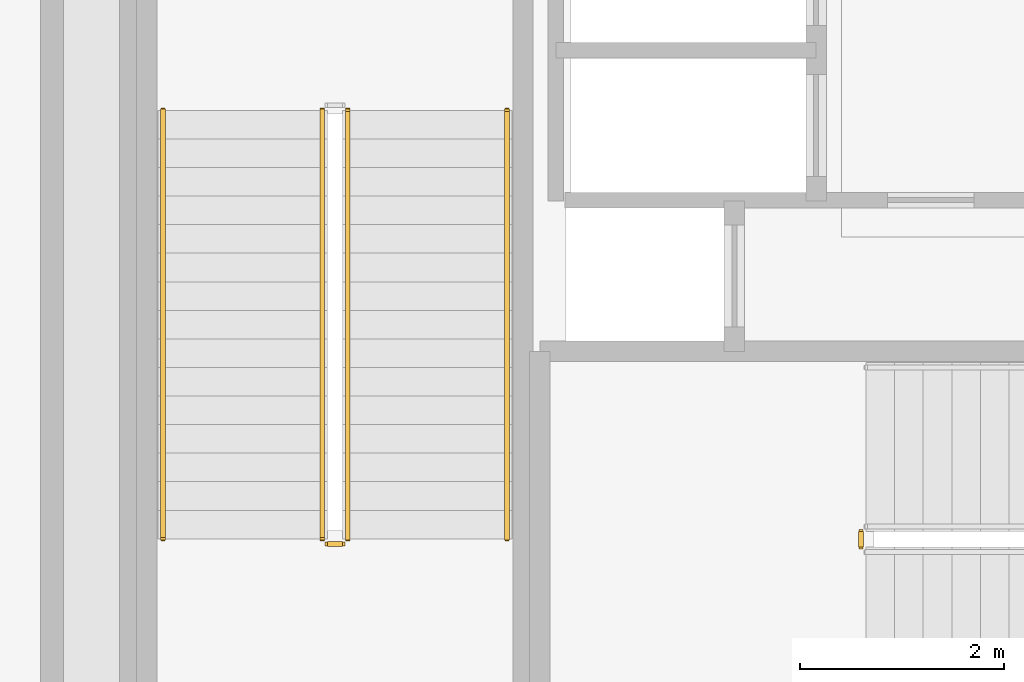
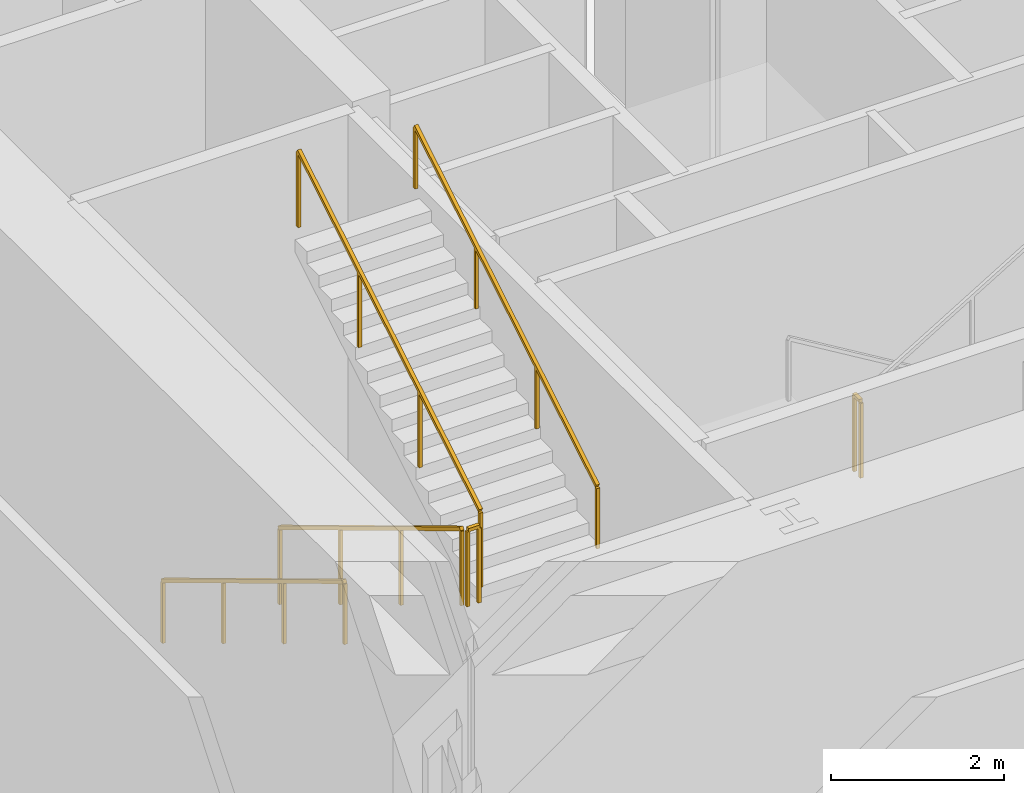
# One storey, part 30 of 34: 6 railings.
"""IFC4 building model written with IfcOpenShell, lengths in metres."""

from ifc_helpers import new_model, si_unit, direction, frame, origin, origin_2d, place, context, subcontext, project, spatial, rectangle, extrude, material, layer, layer_set, type_object, element, save


model = new_model("IFC4")

# Units and contexts
model_context = context("Model", 3, precision=1e-05, world=origin(), true_north=direction((0.0, 1.0)))
body_context = subcontext(model_context, "Body", "Model", "MODEL_VIEW")
ifc_project = project(units=[si_unit("LENGTHUNIT", "METRE"), si_unit("AREAUNIT", "SQUARE_METRE"), si_unit("VOLUMEUNIT", "CUBIC_METRE"), si_unit("PLANEANGLEUNIT", "RADIAN"), si_unit("MASSUNIT", "GRAM", prefix="KILO")], contexts=[model_context])

# Site, building, storey
site_placement = place(None, origin())
site = spatial("IfcSite", under=ifc_project, at=site_placement, CompositionType="ELEMENT")
building_placement = place(site_placement, origin())
building = spatial("IfcBuilding", under=site, at=building_placement, Name="Kilnhurst Terrace Hotel", CompositionType="ELEMENT")
storey_placement = place(building_placement, frame((0.0, 0.0, 6.0)))
storey = spatial("IfcBuildingStorey", under=building, at=storey_placement, Name="L01", CompositionType="ELEMENT", Elevation=6.0)

# Railings
ifc_material_1 = material(Name="Powder-Coated Steel ASTM A500 Grade B", Category="steel")
ifc_layer_1 = layer(ifc_material_1, 0.050048828125, Name="Powder-Coated Steel ASTM A500 Grade B")
ifc_layer_set_1 = layer_set([ifc_layer_1], Name="Powder-Coated Steel ASTM A500 Grade B")
railing_type_1 = type_object("IfcRailingType", Name="RLG-ST-GRD-1100", PredefinedType="GUARDRAIL", material=ifc_layer_set_1)
railing_1_placement = place(storey_placement, frame((-6.739990234375, 0.389892578125, 0.168701171875)))
element("IfcRailing", 1, at=railing_1_placement, inside=storey, type_object=railing_type_1, Name="L01 ST-1 stair guard 1", PredefinedType="GUARDRAIL", context=body_context, shape_type="SweptSolid", body=[
    extrude(rectangle(XDim=0.048095703125, YDim=0.048095703125, at=origin_2d()), frame((0.0, 0.0, 1.076171875), z_axis=(0.0, -0.856476492594, 0.516186030065), x_axis=(1.0, 0.0, 0.0)), (0.0, 0.0, 1.0), 4.90380859375),
    extrude(rectangle(XDim=0.0419921875, YDim=0.0419921875, at=origin_2d()), origin(), (0.0, 0.0, 1.0), 1.052001953125),
    extrude(rectangle(XDim=0.0419921875, YDim=0.0419921875, at=origin_2d()), frame((0.0, -1.39990234375, 0.84375)), (0.0, 0.0, 1.0), 1.052001953125),
    extrude(rectangle(XDim=0.0419921875, YDim=0.0419921875, at=origin_2d()), frame((0.0, -2.800048828125, 1.6875)), (0.0, 0.0, 1.0), 1.052001953125),
    extrude(rectangle(XDim=0.0419921875, YDim=0.0419921875, at=origin_2d()), frame((0.0, -4.199951171875, 2.53125)), (0.0, 0.0, 1.0), 1.052001953125),
])
railing_2_placement = place(storey_placement, frame((-6.68994140625, -3.860107421875, 2.699951171875)))
element("IfcRailing", 2, at=railing_2_placement, inside=storey, type_object=railing_type_1, Name="L01 ST-1 stair guard 2", PredefinedType="GUARDRAIL", context=body_context, shape_type="SweptSolid", body=[
    extrude(rectangle(XDim=0.048095703125, YDim=0.048095703125, at=origin_2d()), frame((0.0, 0.0, 1.076171875), z_axis=(1.0, 0.0, 0.0), x_axis=(0.0, 1.0, 0.0)), (0.0, 0.0, 1.0), 0.14990234375),
    extrude(rectangle(XDim=0.0419921875, YDim=0.0419921875, at=origin_2d()), origin(), (0.0, 0.0, 1.0), 1.052001953125),
    extrude(rectangle(XDim=0.0419921875, YDim=0.0419921875, at=origin_2d()), frame((0.14990234375, 0.0, 0.0)), (0.0, 0.0, 1.0), 1.052001953125),
])
railing_3_placement = place(storey_placement, frame((-6.489990234375, -3.81005859375, 2.86865234375)))
element("IfcRailing", 3, at=railing_3_placement, inside=storey, type_object=railing_type_1, Name="L01 ST-1 stair guard 3", PredefinedType="GUARDRAIL", context=body_context, shape_type="SweptSolid", body=[
    extrude(rectangle(XDim=0.048095703125, YDim=0.048095703125, at=origin_2d()), frame((0.0, 0.0, 1.076171875), z_axis=(0.0, 0.856476492594, 0.516186030065), x_axis=(-1.0, 0.0, 0.0)), (0.0, 0.0, 1.0), 4.90380859375),
    extrude(rectangle(XDim=0.0419921875, YDim=0.0419921875, at=origin_2d()), origin(), (0.0, 0.0, 1.0), 1.052001953125),
    extrude(rectangle(XDim=0.0419921875, YDim=0.0419921875, at=origin_2d()), frame((0.0, 1.39990234375, 0.84375)), (0.0, 0.0, 1.0), 1.052001953125),
    extrude(rectangle(XDim=0.0419921875, YDim=0.0419921875, at=origin_2d()), frame((0.0, 2.800048828125, 1.6875)), (0.0, 0.0, 1.0), 1.052001953125),
    extrude(rectangle(XDim=0.0419921875, YDim=0.0419921875, at=origin_2d()), frame((0.0, 4.199951171875, 2.53125)), (0.0, 0.0, 1.0), 1.052001953125),
])
railing_4_placement = place(storey_placement, frame((-1.4599609375, -3.739990234375, 2.699951171875)))
element("IfcRailing", 4, at=railing_4_placement, inside=storey, type_object=railing_type_1, Name="L01 ST-3 stair guard 2", PredefinedType="GUARDRAIL", context=body_context, shape_type="SweptSolid", body=[
    extrude(rectangle(XDim=0.048095703125, YDim=0.048095703125, at=origin_2d()), frame((0.0, 0.0, 1.076171875), z_axis=(0.0, -1.0, 0.0), x_axis=(1.0, 0.0, 0.0)), (0.0, 0.0, 1.0), 0.14990234375),
    extrude(rectangle(XDim=0.0419921875, YDim=0.0419921875, at=origin_2d()), origin(), (0.0, 0.0, 1.0), 1.052001953125),
    extrude(rectangle(XDim=0.0419921875, YDim=0.0419921875, at=origin_2d()), frame((0.0, -0.14990234375, 0.0)), (0.0, 0.0, 1.0), 1.052001953125),
])
ifc_material_2 = material(Name="Brushed Stainless Steel AISI 304", Category="steel")
ifc_layer_2 = layer(ifc_material_2, 0.048095703125, Name="Brushed Stainless Steel AISI 304")
ifc_layer_set_2 = layer_set([ifc_layer_2], Name="Brushed Stainless Steel AISI 304")
railing_type_2 = type_object("IfcRailingType", Name="RLG-ST-HRL-900", PredefinedType="HANDRAIL", material=ifc_layer_set_2)
railing_5_placement = place(storey_placement, frame((-8.300048828125, 0.389892578125, 0.168701171875)))
element("IfcRailing", 5, at=railing_5_placement, inside=storey, type_object=railing_type_2, Name="L01 ST-1 stair handrail 1", PredefinedType="HANDRAIL", context=body_context, shape_type="SweptSolid", body=[
    extrude(rectangle(XDim=0.048095703125, YDim=0.048095703125, at=origin_2d()), frame((0.0, 0.0, 0.8759765625), z_axis=(0.0, -0.856476492594, 0.516186030065), x_axis=(1.0, 0.0, 0.0)), (0.0, 0.0, 1.0), 4.90380859375),
    extrude(rectangle(XDim=0.0419921875, YDim=0.0419921875, at=origin_2d()), origin(), (0.0, 0.0, 1.0), 0.851806640625),
    extrude(rectangle(XDim=0.0419921875, YDim=0.0419921875, at=origin_2d()), frame((0.0, -1.39990234375, 0.84375)), (0.0, 0.0, 1.0), 0.851806640625),
    extrude(rectangle(XDim=0.0419921875, YDim=0.0419921875, at=origin_2d()), frame((0.0, -2.800048828125, 1.6875)), (0.0, 0.0, 1.0), 0.851806640625),
    extrude(rectangle(XDim=0.0419921875, YDim=0.0419921875, at=origin_2d()), frame((0.0, -4.199951171875, 2.53125)), (0.0, 0.0, 1.0), 0.851806640625),
])
railing_6_placement = place(storey_placement, frame((-4.929931640625, -3.81005859375, 2.86865234375)))
element("IfcRailing", 6, at=railing_6_placement, inside=storey, type_object=railing_type_2, Name="L01 ST-1 stair handrail 2", PredefinedType="HANDRAIL", context=body_context, shape_type="SweptSolid", body=[
    extrude(rectangle(XDim=0.048095703125, YDim=0.048095703125, at=origin_2d()), frame((0.0, 0.0, 0.8759765625), z_axis=(0.0, 0.856476492594, 0.516186030065), x_axis=(-1.0, 0.0, 0.0)), (0.0, 0.0, 1.0), 4.90380859375),
    extrude(rectangle(XDim=0.0419921875, YDim=0.0419921875, at=origin_2d()), origin(), (0.0, 0.0, 1.0), 0.851806640625),
    extrude(rectangle(XDim=0.0419921875, YDim=0.0419921875, at=origin_2d()), frame((0.0, 1.39990234375, 0.84375)), (0.0, 0.0, 1.0), 0.851806640625),
    extrude(rectangle(XDim=0.0419921875, YDim=0.0419921875, at=origin_2d()), frame((0.0, 2.800048828125, 1.6875)), (0.0, 0.0, 1.0), 0.851806640625),
    extrude(rectangle(XDim=0.0419921875, YDim=0.0419921875, at=origin_2d()), frame((0.0, 4.199951171875, 2.53125)), (0.0, 0.0, 1.0), 0.851806640625),
])

save(model, "model.ifc")
